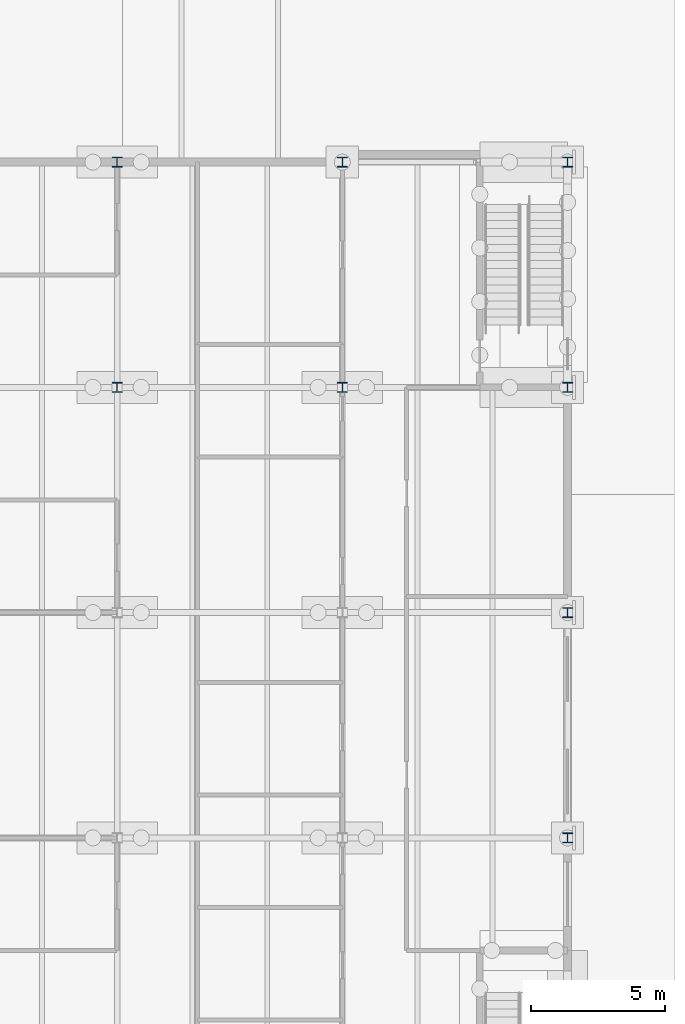
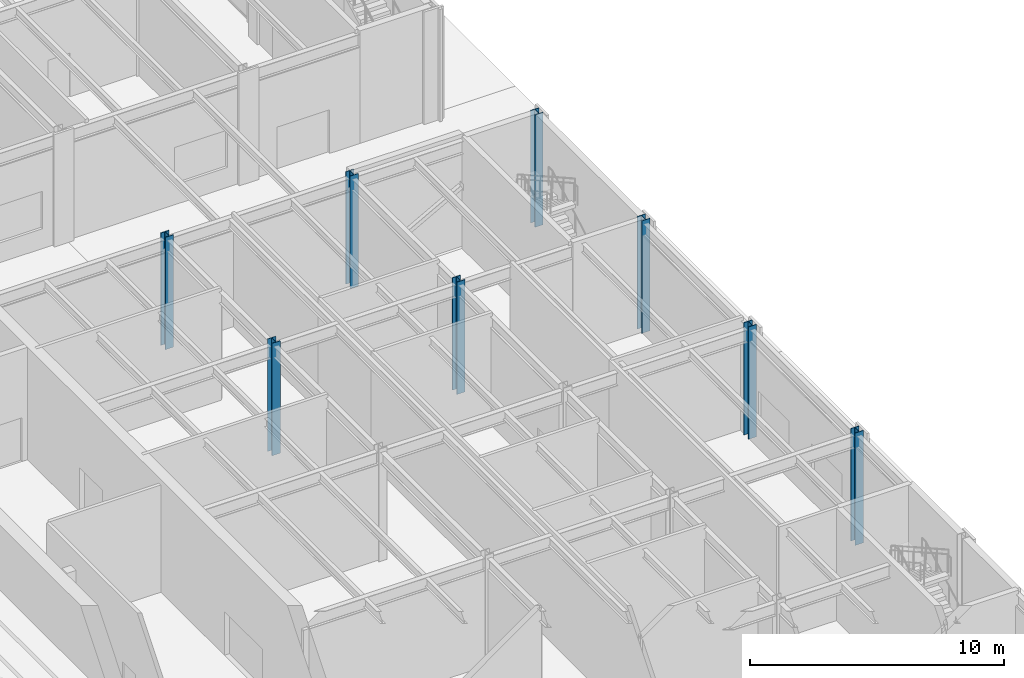
# One storey, part 28 of 127: 8 columns.
"""IFC4 building model written with IfcOpenShell, lengths in metres."""

from ifc_helpers import new_model, si_unit, direction, frame, origin, origin_2d, place, context, subcontext, project, spatial, i_section, extrude, material, material_profile, profile_set, type_object, element, save


model = new_model("IFC4")

# Units and contexts
model_context = context("Model", 3, precision=1e-05, world=origin(), true_north=direction((0.0, 1.0)))
body_context = subcontext(model_context, "Body", "Model", "MODEL_VIEW")
ifc_project = project(units=[si_unit("LENGTHUNIT", "METRE"), si_unit("AREAUNIT", "SQUARE_METRE"), si_unit("VOLUMEUNIT", "CUBIC_METRE"), si_unit("PLANEANGLEUNIT", "RADIAN"), si_unit("MASSUNIT", "GRAM", prefix="KILO")], contexts=[model_context])

# Site, building, storey
site_placement = place(None, origin())
site = spatial("IfcSite", under=ifc_project, at=site_placement, CompositionType="ELEMENT")
building_placement = place(site_placement, origin())
building = spatial("IfcBuilding", under=site, at=building_placement, Name="Ljudholm Concert House", CompositionType="ELEMENT")
storey_placement = place(building_placement, origin())
storey = spatial("IfcBuildingStorey", under=building, at=storey_placement, Name="L00", CompositionType="ELEMENT", Elevation=0.0)

# Columns
ifc_material = material(Name="Steel ASTM A992", Category="steel")
ifc_material_profile = material_profile(ifc_material, i_section(OverallWidth=0.373291015625, OverallDepth=0.373291015625, WebThickness=0.016357421875, FlangeThickness=0.026123046875, FilletRadius=0.01513671875, at=origin_2d()), Name="W14X132")
ifc_profile_set = profile_set([ifc_material_profile], Name="Steel ASTM A992")
column_type = type_object("IfcColumnType", Name="STEEL COLUMN W14X132", PredefinedType="COLUMN", material=ifc_profile_set)
for number, where, z_axis, x_axis, name in (
    (1, (104.800048828125, 88.0, 0.0), (0.0, 0.0, 1.0), (1.0, 0.0, 0.0), "Column BOH-L00-col-104.8-88"),
    (2, (104.800048828125, 96.39990234375, 0.0), (0.0, 0.0, 1.0), (1.0, 0.0, 0.0), "Column BOH-L00-col-104.8-96.4"),
    (3, (113.199951171875, 88.0, 0.0), (0.0, 0.0, 1.0), (1.0, 0.0, 0.0), "Column BOH-L00-col-113.2-88"),
    (4, (113.199951171875, 96.39990234375, 0.0), (0.0, 0.0, 1.0), (1.0, 0.0, 0.0), "Column BOH-L00-col-113.2-96.4"),
    (5, (121.60009765625, 71.199951171875, 0.0), (0.0, 0.0, 1.0), (1.0, 0.0, 0.0), "Column BOH-L00-col-121.6-71.2"),
    (6, (121.60009765625, 79.60009765625, 0.0), (0.0, 0.0, 1.0), (1.0, 0.0, 0.0), "Column BOH-L00-col-121.6-79.6"),
    (7, (121.60009765625, 88.0, 0.0), (0.0, 0.0, 1.0), (1.0, 0.0, 0.0), "Column BOH-L00-col-121.6-88"),
    (8, (121.60009765625, 96.39990234375, 0.0), (0.0, 0.0, 1.0), (1.0, 0.0, 0.0), "Column BOH-L00-col-121.6-96.4"),
):
    element("IfcColumn", number, at=place(storey_placement, frame(where, z_axis=z_axis, x_axis=x_axis)), inside=storey, type_object=column_type, Name=name, PredefinedType="COLUMN", context=body_context, shape_type="SweptSolid", body=[
        extrude(i_section(OverallWidth=0.373291015625, OverallDepth=0.373291015625, WebThickness=0.016357421875, FlangeThickness=0.026123046875, FilletRadius=0.01513671875, at=origin_2d()), origin(), (0.0, 0.0, 1.0), 5.39990234375),
    ])

save(model, "model.ifc")
